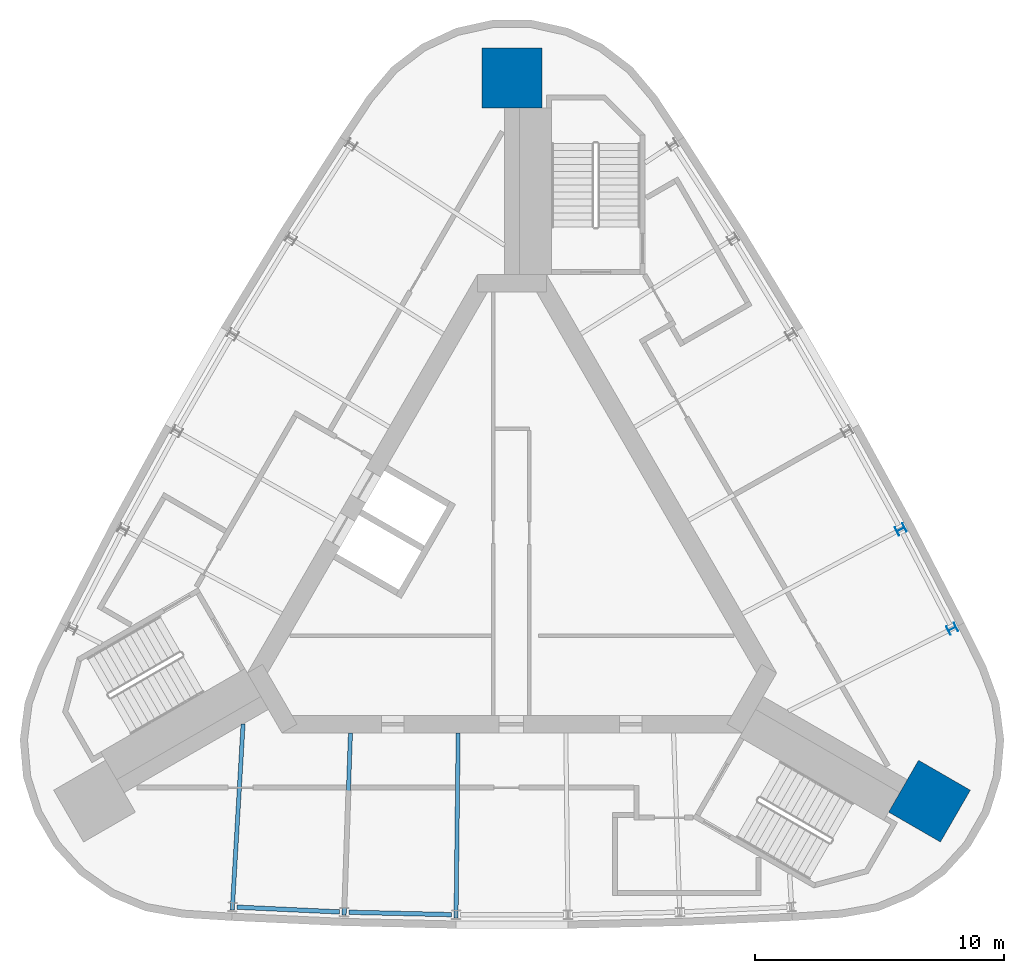
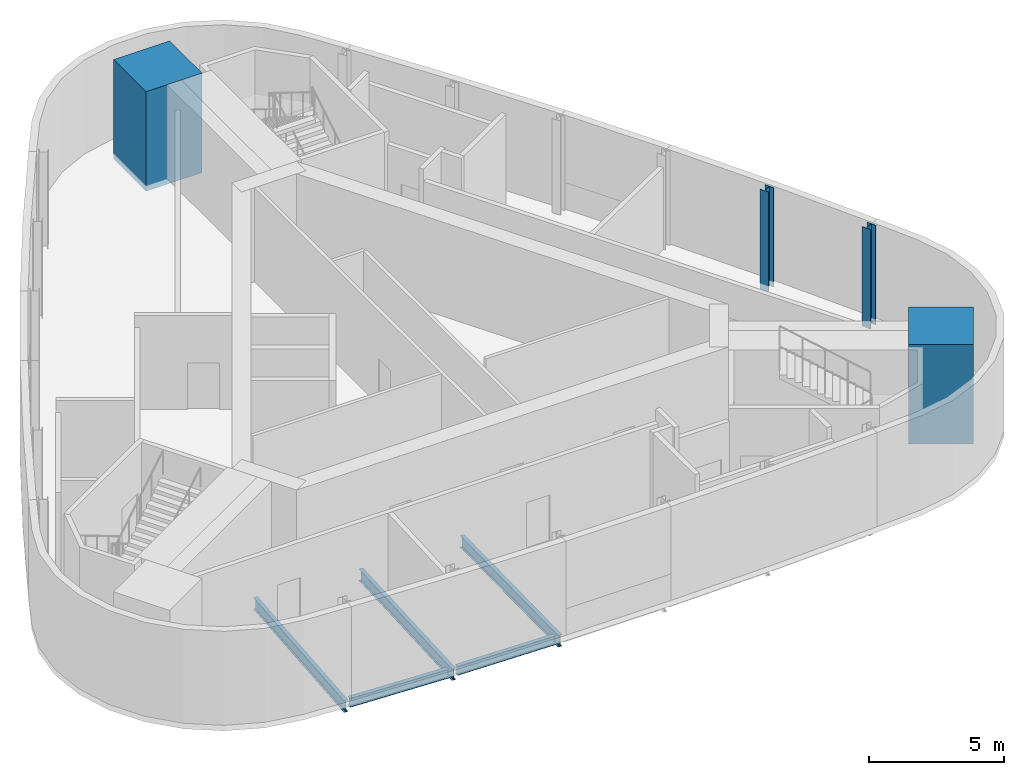
# One storey, part 2 of 7: 5 beams, 4 columns.
"""IFC4 building model written with IfcOpenShell, lengths in metres."""

from ifc_helpers import new_model, si_unit, direction, frame, origin, origin_2d, place, context, subcontext, project, spatial, rectangle, i_section, extrude, material, material_profile, profile_set, type_object, element, save


model = new_model("IFC4")

# Units and contexts
model_context = context("Model", 3, precision=1e-05, world=origin(), true_north=direction((0.0, 1.0)))
body_context = subcontext(model_context, "Body", "Model", "MODEL_VIEW")
ifc_project = project(units=[si_unit("LENGTHUNIT", "METRE"), si_unit("AREAUNIT", "SQUARE_METRE"), si_unit("VOLUMEUNIT", "CUBIC_METRE"), si_unit("PLANEANGLEUNIT", "RADIAN"), si_unit("MASSUNIT", "GRAM", prefix="KILO")], contexts=[model_context])

# Site, building, storey
site_placement = place(None, origin())
site = spatial("IfcSite", under=ifc_project, at=site_placement, CompositionType="ELEMENT")
building_placement = place(site_placement, origin())
building = spatial("IfcBuilding", under=site, at=building_placement, Name="Noor Cloister Tower", CompositionType="ELEMENT")
storey_placement = place(building_placement, frame((0.0, 0.0, 297.60009765625)))
storey = spatial("IfcBuildingStorey", under=building, at=storey_placement, Name="L75", CompositionType="ELEMENT", Elevation=297.60009765625)

# Columns
ifc_material_1 = material(Name="Steel ASTM A992 Gr 50", Category="steel")
ifc_material_profile_1 = material_profile(ifc_material_1, i_section(OverallWidth=0.367919921875, OverallDepth=0.35595703125, WebThickness=0.01123046875, FlangeThickness=0.01806640625, FilletRadius=0.015380859375, at=origin_2d()), Name="W360x134")
ifc_profile_set_1 = profile_set([ifc_material_profile_1], Name="Steel ASTM A992 Gr 50")
column_type_1 = type_object("IfcColumnType", Name="Column W360x134", PredefinedType="COLUMN", material=ifc_profile_set_1)
for number, where, z_axis, x_axis, name in (
    (1, (17.653564453125, -2.75390625, -0.25), (0.0, 0.0, 1.0), (-0.448974965035, 0.893544336209, 0.0), "Column NE 01 L75"),
    (2, (15.592529296875, 1.231689453125, -0.25), (0.0, 0.0, 1.0), (-0.469575774469, 0.882892174635, 0.0), "Column NE 02 L75"),
):
    element("IfcColumn", number, at=place(storey_placement, frame(where, z_axis=z_axis, x_axis=x_axis)), inside=storey, type_object=column_type_1, Name=name, PredefinedType="COLUMN", context=body_context, shape_type="SweptSolid", body=[
        extrude(i_section(OverallWidth=0.367919921875, OverallDepth=0.35595703125, WebThickness=0.01123046875, FlangeThickness=0.01806640625, FilletRadius=0.015380859375, at=origin_2d()), origin(), (0.0, 0.0, 1.0), 4.5),
    ])
ifc_material_2 = material(Name="Concrete C50/60", Category="concrete")
ifc_material_profile_2 = material_profile(ifc_material_2, rectangle(XDim=2.39990234375, YDim=2.39990234375, at=origin_2d()), Name="RC 2400x2400")
ifc_profile_set_2 = profile_set([ifc_material_profile_2], Name="Concrete C50/60")
column_type_2 = type_object("IfcColumnType", Name="Corner pier 2400 x 2400 C50/60", PredefinedType="COLUMN", material=ifc_profile_set_2)
for number, where, z_axis, x_axis, name in (
    (3, (0.0, 19.3349609375, -0.25), (0.0, 0.0, 1.0), (0.0, 1.0, 0.0), "Corner pier N L75"),
    (4, (16.74462890625, -9.66748046875, -0.25), (0.0, 0.0, 1.0), (0.866025403784, -0.5, 0.0), "Corner pier SE L75"),
):
    element("IfcColumn", number, at=place(storey_placement, frame(where, z_axis=z_axis, x_axis=x_axis)), inside=storey, type_object=column_type_2, Name=name, PredefinedType="COLUMN", context=body_context, shape_type="SweptSolid", body=[
        extrude(rectangle(XDim=2.39990234375, YDim=2.39990234375, at=origin_2d()), origin(), (0.0, 0.0, 1.0), 4.5),
    ])

# Beams
ifc_material_3 = material(Name="Steel ASTM A992 Gr 50", Category="steel")
ifc_material_profile_3 = material_profile(ifc_material_3, i_section(OverallWidth=0.166015625, OverallDepth=0.528076171875, WebThickness=0.009765625, FlangeThickness=0.013671875, FilletRadius=0.0126953125, at=origin_2d()), Name="W530x74")
ifc_profile_set_3 = profile_set([ifc_material_profile_3], Name="Steel ASTM A992 Gr 50")
beam_type_1 = type_object("IfcBeamType", Name="Radial beam W530x74", PredefinedType="BEAM", material=ifc_profile_set_3)
beam_1_placement = place(storey_placement, frame((-11.218994140625, -14.033203125, -0.51416015625), z_axis=(0.057963519573, 0.998318701818, 0.0), x_axis=(-0.998318701818, 0.057963519573, 0.0)))
element("IfcBeam", 5, at=beam_1_placement, inside=storey, type_object=beam_type_1, Name="Radial beam S 01 L75", PredefinedType="BEAM", context=body_context, shape_type="SweptSolid", body=[
    extrude(i_section(OverallWidth=0.166015625, OverallDepth=0.528076171875, WebThickness=0.009765625, FlangeThickness=0.013671875, FilletRadius=0.0126953125, at=origin_2d()), origin(), (0.0, 0.0, 1.0), 7.471923828125),
])
beam_2_placement = place(storey_placement, frame((-6.733642578125, -14.241455078125, -0.51416015625), z_axis=(0.034764484893, 0.999395532605, 0.0), x_axis=(-0.999395532605, 0.034764484893, 0.0)))
element("IfcBeam", 6, at=beam_2_placement, inside=storey, type_object=beam_type_1, Name="Radial beam S 02 L75", PredefinedType="BEAM", context=body_context, shape_type="SweptSolid", body=[
    extrude(i_section(OverallWidth=0.166015625, OverallDepth=0.528076171875, WebThickness=0.009765625, FlangeThickness=0.013671875, FilletRadius=0.0126953125, at=origin_2d()), origin(), (0.0, 0.0, 1.0), 7.317626953125),
])
beam_3_placement = place(storey_placement, frame((-2.244873046875, -14.345458984375, -0.51416015625), z_axis=(0.011585411151, 0.999932886872, 0.0), x_axis=(-0.999932886872, 0.011585411151, 0.0)))
element("IfcBeam", 7, at=beam_3_placement, inside=storey, type_object=beam_type_1, Name="Radial beam S 03 L75", PredefinedType="BEAM", context=body_context, shape_type="SweptSolid", body=[
    extrude(i_section(OverallWidth=0.166015625, OverallDepth=0.528076171875, WebThickness=0.009765625, FlangeThickness=0.013671875, FilletRadius=0.0126953125, at=origin_2d()), origin(), (0.0, 0.0, 1.0), 7.417724609375),
])
ifc_material_4 = material(Name="Steel ASTM A992 Gr 50", Category="steel")
ifc_material_profile_4 = material_profile(ifc_material_4, i_section(OverallWidth=0.177978515625, OverallDepth=0.406005859375, WebThickness=0.0078125, FlangeThickness=0.0126953125, FilletRadius=0.01025390625, at=origin_2d()), Name="W410x60")
ifc_profile_set_4 = profile_set([ifc_material_profile_4], Name="Steel ASTM A992 Gr 50")
beam_type_2 = type_object("IfcBeamType", Name="Spandrel beam W410x60", PredefinedType="SPANDREL", material=ifc_profile_set_4)
beam_4_placement = place(storey_placement, frame((-11.028076171875, -13.919921875, -0.453125), z_axis=(0.998925325351, -0.046348617801, 0.0), x_axis=(0.046348617801, 0.998925325351, 0.0)))
element("IfcBeam", 8, at=beam_4_placement, inside=storey, type_object=beam_type_2, Name="Spandrel beam S 01 L75", PredefinedType="SPANDREL", context=body_context, shape_type="SweptSolid", body=[
    extrude(i_section(OverallWidth=0.177978515625, OverallDepth=0.406005859375, WebThickness=0.0078125, FlangeThickness=0.0126953125, FilletRadius=0.01025390625, at=origin_2d()), origin(), (0.0, 0.0, 1.0), 4.119140625),
])
beam_5_placement = place(storey_placement, frame((-6.545654296875, -14.123779296875, -0.453125), z_axis=(0.999731452345, -0.023173760841, 0.0), x_axis=(0.023173760841, 0.999731452345, 0.0)))
element("IfcBeam", 9, at=beam_5_placement, inside=storey, type_object=beam_type_2, Name="Spandrel beam S 02 L75", PredefinedType="SPANDREL", context=body_context, shape_type="SweptSolid", body=[
    extrude(i_section(OverallWidth=0.177978515625, OverallDepth=0.406005859375, WebThickness=0.0078125, FlangeThickness=0.0126953125, FilletRadius=0.01025390625, at=origin_2d()), origin(), (0.0, 0.0, 1.0), 4.119384765625),
])

save(model, "model.ifc")
